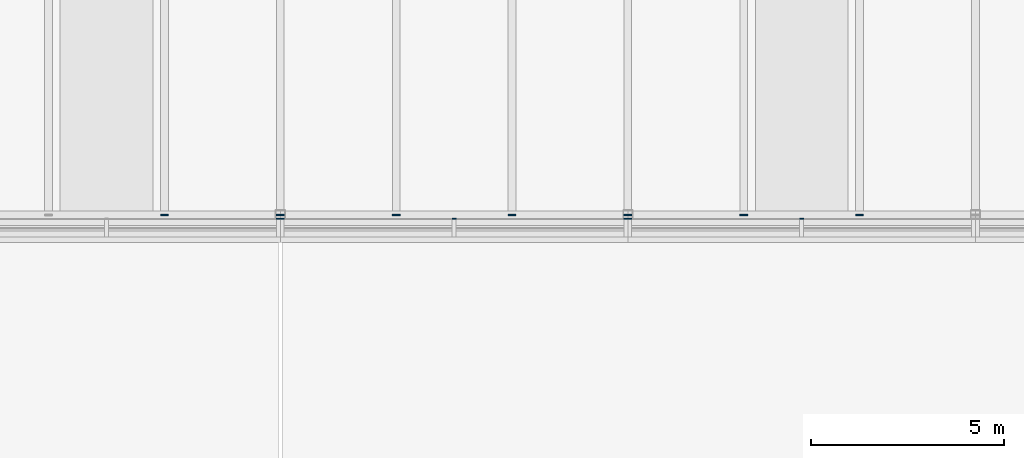
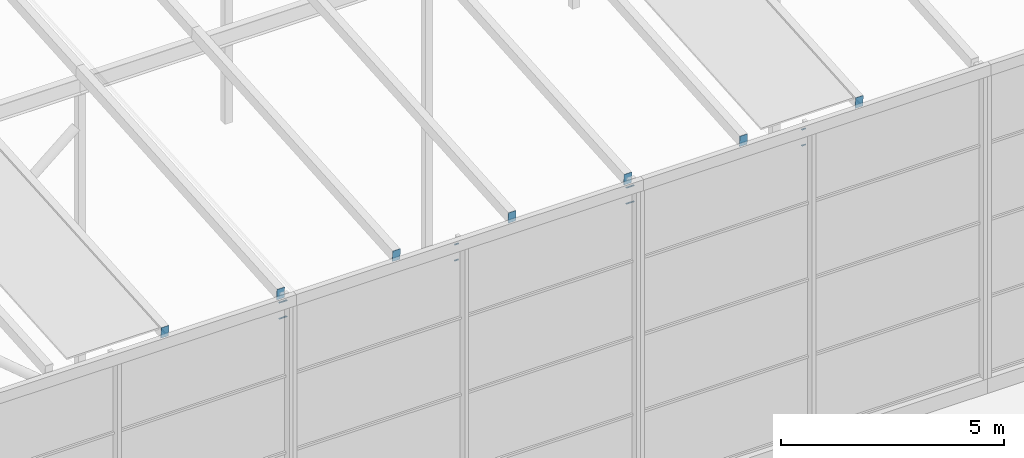
# One storey, part 66 of 84: 19 discrete accessories.
"""IFC4 building model written with IfcOpenShell, lengths in metres."""

from ifc_helpers import new_model, si_unit, direction, frame, origin, origin_2d, place, context, subcontext, project, spatial, rectangle, extrude, material, layer, layer_set, type_object, element, save


model = new_model("IFC4")

# Units and contexts
model_context = context("Model", 3, precision=1e-05, world=origin(), true_north=direction((0.0, 1.0)))
body_context = subcontext(model_context, "Body", "Model", "MODEL_VIEW")
ifc_project = project(units=[si_unit("LENGTHUNIT", "METRE"), si_unit("AREAUNIT", "SQUARE_METRE"), si_unit("VOLUMEUNIT", "CUBIC_METRE"), si_unit("PLANEANGLEUNIT", "RADIAN"), si_unit("MASSUNIT", "GRAM", prefix="KILO")], contexts=[model_context])

# Site, building, storey
site_placement = place(None, origin())
site = spatial("IfcSite", under=ifc_project, at=site_placement, CompositionType="ELEMENT")
building_placement = place(site_placement, origin())
building = spatial("IfcBuilding", under=site, at=building_placement, Name="Silverbay Arena", CompositionType="ELEMENT")
storey_placement = place(building_placement, frame((0.0, 0.0, 47.10009765625)))
storey = spatial("IfcBuildingStorey", under=building, at=storey_placement, Name="ROOF", CompositionType="ELEMENT", Elevation=47.10009765625)

# Discrete accessories
ifc_material_1 = material(Name="Steel S355", Category="steel")
ifc_layer = layer(ifc_material_1, 0.011962890625)
ifc_layer_set = layer_set([ifc_layer], Name="Steel S355")
discrete_accessory_type_1 = type_object("IfcDiscreteAccessoryType", Name="Purlin end plate 12", PredefinedType="USERDEFINED", material=ifc_layer_set)
for number, where, z_axis, x_axis, name in (
    (1, (132.0, 27.0, 8.74951171875), (0.0, -0.996684615823, -0.081362009455), (1.0, 0.0, 0.0), "Purlin end plate"),
    (2, (135.0, 27.0, 8.74951171875), (0.0, -0.996684615823, -0.081362009455), (1.0, 0.0, 0.0), "Purlin end plate"),
    (3, (138.0, 27.0, 8.74951171875), (0.0, -0.996684615823, -0.081362009455), (1.0, 0.0, 0.0), "Purlin end plate"),
    (4, (141.0, 27.0, 8.74951171875), (0.0, -0.996684615823, -0.081362009455), (1.0, 0.0, 0.0), "Purlin end plate"),
    (5, (144.0, 27.0, 8.74951171875), (0.0, -0.996684615823, -0.081362009455), (1.0, 0.0, 0.0), "Purlin end plate"),
    (6, (147.0, 27.0, 8.74951171875), (0.0, -0.996684615823, -0.081362009455), (1.0, 0.0, 0.0), "Purlin end plate"),
    (7, (150.0, 27.0, 8.74951171875), (0.0, -0.996684615823, -0.081362009455), (1.0, 0.0, 0.0), "Purlin end plate"),
):
    element("IfcDiscreteAccessory", number, at=place(storey_placement, frame(where, z_axis=z_axis, x_axis=x_axis)), inside=storey, type_object=discrete_accessory_type_1, Name=name, ObjectType="END PLATE", PredefinedType="USERDEFINED", context=body_context, shape_type="SweptSolid", body=[
        extrude(rectangle(XDim=0.199951171875, YDim=0.300048828125, at=origin_2d()), origin(), (0.0, 0.0, 1.0), 0.011962890625),
    ])
ifc_material_2 = material(Name="Steel S355", Category="steel")
discrete_accessory_type_2 = type_object("IfcDiscreteAccessoryType", Name="Steel bracket plate", PredefinedType="BRACKET", material=ifc_material_2)
for number, where, z_axis, x_axis, name in (
    (8, (134.949951171875, 26.89013671875, 8.58642578125), (0.0, 0.0, 1.0), (1.0, 0.0, 0.0), "Curtain wall packing plate"),
    (9, (134.949951171875, 26.89013671875, 8.145751953125), (0.0, 0.0, 1.0), (1.0, 0.0, 0.0), "Curtain wall packing plate"),
    (10, (135.050048828125, 26.89013671875, 8.58642578125), (0.0, 0.0, 1.0), (1.0, 0.0, 0.0), "Curtain wall packing plate"),
    (11, (135.050048828125, 26.89013671875, 8.145751953125), (0.0, 0.0, 1.0), (1.0, 0.0, 0.0), "Curtain wall packing plate"),
    (12, (139.5, 26.89013671875, 8.58642578125), (0.0, 0.0, 1.0), (1.0, 0.0, 0.0), "Curtain wall packing plate"),
    (13, (139.5, 26.89013671875, 8.145751953125), (0.0, 0.0, 1.0), (1.0, 0.0, 0.0), "Curtain wall packing plate"),
    (14, (143.949951171875, 26.89013671875, 8.58642578125), (0.0, 0.0, 1.0), (1.0, 0.0, 0.0), "Curtain wall packing plate"),
    (15, (143.949951171875, 26.89013671875, 8.145751953125), (0.0, 0.0, 1.0), (1.0, 0.0, 0.0), "Curtain wall packing plate"),
    (16, (144.050048828125, 26.89013671875, 8.58642578125), (0.0, 0.0, 1.0), (1.0, 0.0, 0.0), "Curtain wall packing plate"),
    (17, (144.050048828125, 26.89013671875, 8.145751953125), (0.0, 0.0, 1.0), (1.0, 0.0, 0.0), "Curtain wall packing plate"),
    (18, (148.5, 26.89013671875, 8.58642578125), (0.0, 0.0, 1.0), (1.0, 0.0, 0.0), "Curtain wall packing plate"),
    (19, (148.5, 26.89013671875, 8.145751953125), (0.0, 0.0, 1.0), (1.0, 0.0, 0.0), "Curtain wall packing plate"),
):
    element("IfcDiscreteAccessory", number, at=place(storey_placement, frame(where, z_axis=z_axis, x_axis=x_axis)), inside=storey, type_object=discrete_accessory_type_2, Name=name, PredefinedType="BRACKET", context=body_context, shape_type="SweptSolid", body=[
        extrude(rectangle(XDim=0.10009765625, YDim=0.030029296875, at=origin_2d()), origin(), (0.0, 0.0, 1.0), 0.0126953125),
    ])

save(model, "model.ifc")
